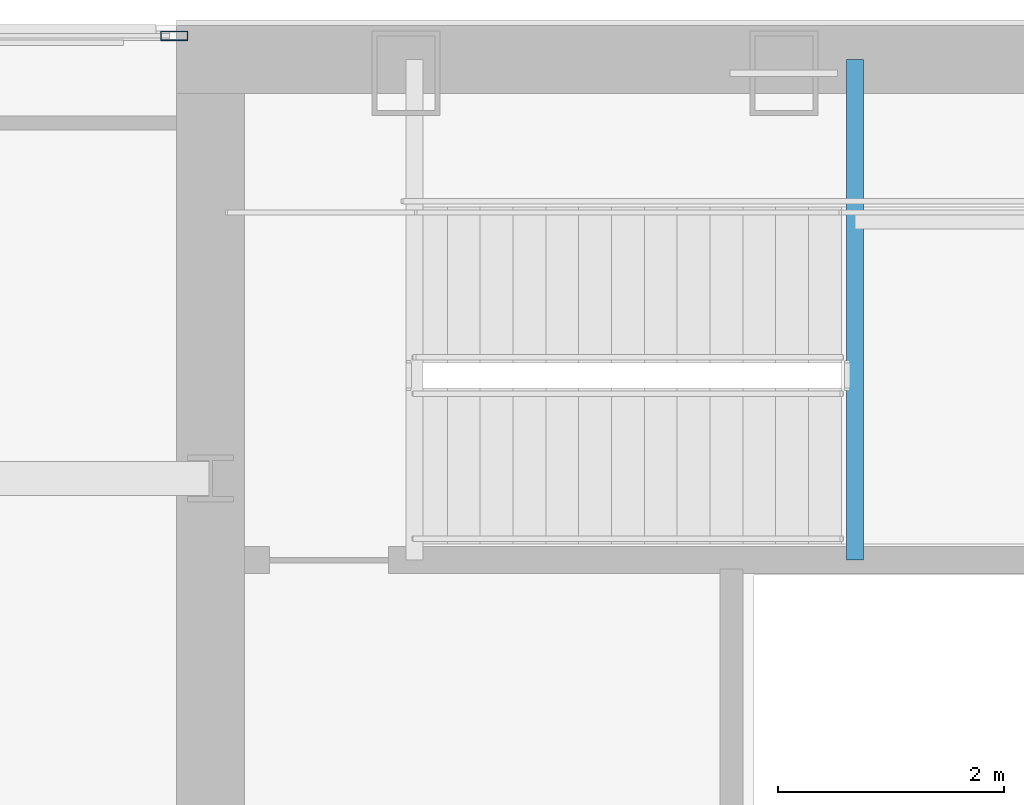
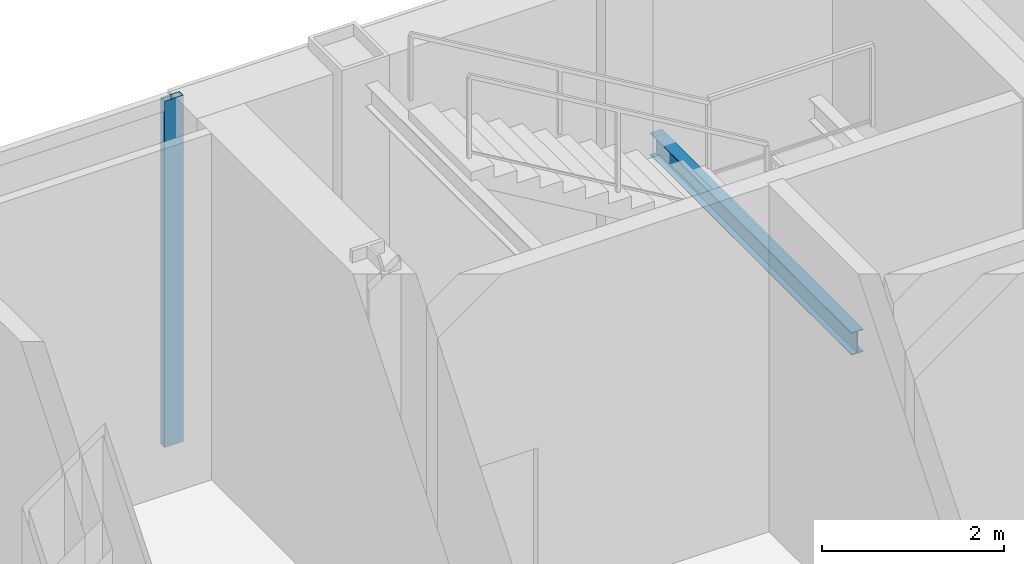
# One storey, part 23 of 32: 1 beam, 1 member, 1 element without a shape of its own.
"""IFC4 building model written with IfcOpenShell, lengths in metres."""

from ifc_helpers import new_model, si_unit, direction, frame, origin, origin_2d, place, context, subcontext, project, spatial, hollow_rectangle, i_section, extrude, material, material_profile, profile_set, type_object, element, aggregate, save


model = new_model("IFC4")

# Units and contexts
model_context = context("Model", 3, precision=1e-05, world=origin(), true_north=direction((0.0, 1.0)))
body_context = subcontext(model_context, "Body", "Model", "MODEL_VIEW")
ifc_project = project(units=[si_unit("LENGTHUNIT", "METRE"), si_unit("AREAUNIT", "SQUARE_METRE"), si_unit("VOLUMEUNIT", "CUBIC_METRE"), si_unit("PLANEANGLEUNIT", "RADIAN"), si_unit("MASSUNIT", "GRAM", prefix="KILO")], contexts=[model_context])

# Site, building, storey
site_placement = place(None, origin())
site = spatial("IfcSite", under=ifc_project, at=site_placement, CompositionType="ELEMENT")
building_placement = place(site_placement, origin())
building = spatial("IfcBuilding", under=site, at=building_placement, Name="Khoronbel Lancet Exchange", CompositionType="ELEMENT")
storey_placement = place(building_placement, frame((0.0, 0.0, 257.0)))
storey = spatial("IfcBuildingStorey", under=building, at=storey_placement, Name="L66", CompositionType="ELEMENT", Elevation=257.0)

# Beam
ifc_material_1 = material(Name="Steel S355", Category="steel")
ifc_material_profile_1 = material_profile(ifc_material_1, i_section(OverallWidth=0.14990234375, OverallDepth=0.300048828125, WebThickness=0.007080078125, FlangeThickness=0.0107421875, at=origin_2d()), Name="IPE 300")
ifc_profile_set_1 = profile_set([ifc_material_profile_1], Name="Steel S355")
beam_type = type_object("IfcBeamType", Name="BM-BJ8", PredefinedType="JOIST", material=ifc_profile_set_1)
beam_placement = place(storey_placement, frame((22.18994140625, 48.97998046875, 2.050048828125), z_axis=(0.0, 1.0, 0.0), x_axis=(-1.0, 0.0, 0.0)))
element("IfcBeam", 1, at=beam_placement, inside=storey, type_object=beam_type, Name="Level L66 stair ST1 landing bearer beam 1", PredefinedType="JOIST", context=body_context, shape_type="SweptSolid", body=[
    extrude(i_section(OverallWidth=0.14990234375, OverallDepth=0.300048828125, WebThickness=0.007080078125, FlangeThickness=0.0107421875, at=origin_2d()), origin(), (0.0, 0.0, 1.0), 4.419921875),
])

# Curtain wall, member
ifc_material_2 = material(Name="Low-E Solar Control Insulating Glass", Category="glass")
curtain_wall_type = type_object("IfcCurtainWallType", Name="CW-3", PredefinedType="NOTDEFINED", material=ifc_material_2)
curtain_wall_placement = place(storey_placement, origin())
curtain_wall = element("IfcCurtainWall", 2, at=curtain_wall_placement, inside=storey, type_object=curtain_wall_type, Name="Unitised curtain wall CW-L66-NWFLK", PredefinedType="NOTDEFINED")
ifc_material_3 = material(Name="Bronze-Anodised Aluminium 6063-T6", Category="aluminium")
ifc_material_profile_2 = material_profile(ifc_material_3, hollow_rectangle(XDim=0.0849609375, YDim=0.239990234375, WallThickness=0.006103515625, at=origin_2d()), Name="ALU MULLION 85x240")
ifc_profile_set_2 = profile_set([ifc_material_profile_2], Name="Bronze-Anodised Aluminium 6063-T6")
member_type = type_object("IfcMemberType", Name="MEM-CWM1", PredefinedType="MULLION", material=ifc_profile_set_2)
member_placement = place(storey_placement, frame((16.177490234375, 53.610107421875, 0.0), z_axis=(0.0, 0.0, 1.0), x_axis=(0.0, -1.0, 0.0)))
member = element("IfcMember", 3, at=member_placement, type_object=member_type, Name="CW3 mullion 1", PredefinedType="MULLION", context=body_context, shape_type="SweptSolid", body=[
    extrude(hollow_rectangle(XDim=0.0849609375, YDim=0.239990234375, WallThickness=0.006103515625, at=origin_2d()), origin(), (0.0, 0.0, 1.0), 4.639892578125),
])
aggregate(curtain_wall, [member])

save(model, "model.ifc")
